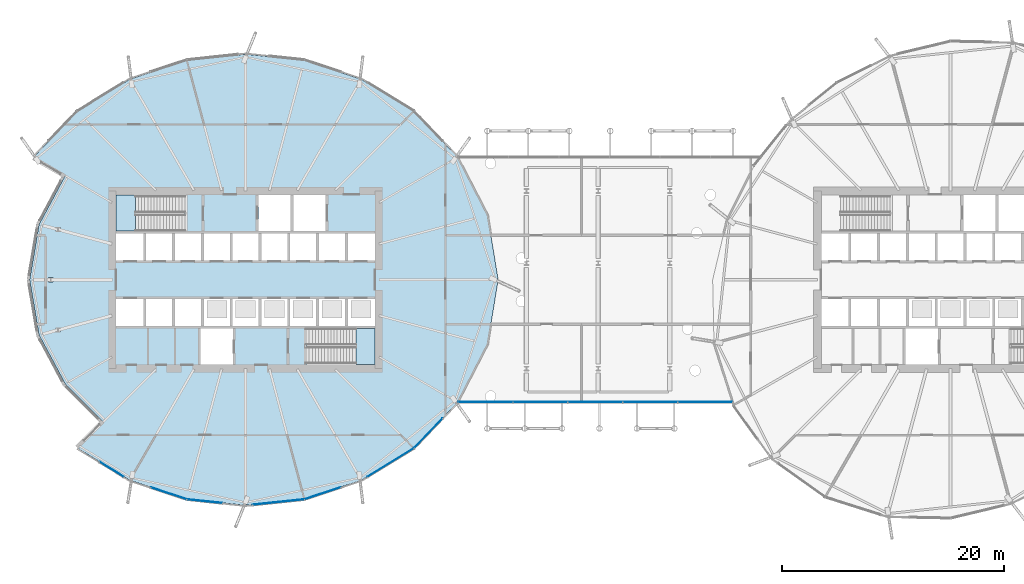
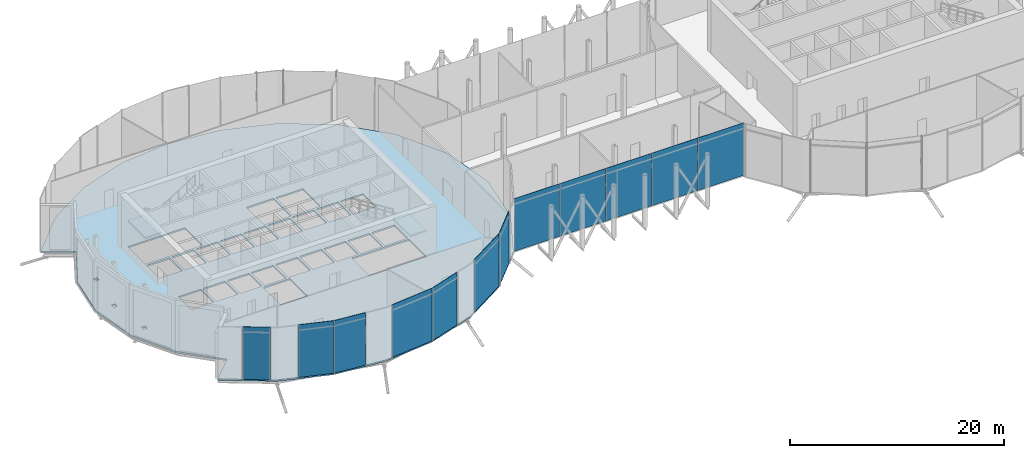
# One storey, part 16 of 38: 12 plates, 3 slabs, 4 elements without a shape of their own.
"""IFC4 building model written with IfcOpenShell, lengths in metres."""

from ifc_helpers import new_model, si_unit, direction, frame, origin, origin_2d, place, context, subcontext, project, spatial, polyline, rectangle, outline, extrude, material, layer, layer_set, type_object, element, aggregate, save


model = new_model("IFC4")

# Units and contexts
model_context = context("Model", 3, precision=1e-05, world=origin(), true_north=direction((0.0, 1.0)))
body_context = subcontext(model_context, "Body", "Model", "MODEL_VIEW")
ifc_project = project(units=[si_unit("LENGTHUNIT", "METRE"), si_unit("AREAUNIT", "SQUARE_METRE"), si_unit("VOLUMEUNIT", "CUBIC_METRE"), si_unit("PLANEANGLEUNIT", "RADIAN"), si_unit("MASSUNIT", "GRAM", prefix="KILO")], contexts=[model_context])

# Site, building, storey
site_placement = place(None, origin())
site = spatial("IfcSite", under=ifc_project, at=site_placement, CompositionType="ELEMENT")
building_placement = place(site_placement, origin())
building = spatial("IfcBuilding", under=site, at=building_placement, Name="Rimbun Link Towers", CompositionType="ELEMENT")
storey_placement = place(building_placement, frame((0.0, 0.0, 133.199951171875)))
storey = spatial("IfcBuildingStorey", under=building, at=storey_placement, Name="L32", CompositionType="ELEMENT", Elevation=133.199951171875)

# Slab
ifc_material_1 = material(Name="Concrete C35/45", Category="concrete")
ifc_layer_1 = layer(ifc_material_1, 0.179931640625)
ifc_layer_set_1 = layer_set([ifc_layer_1], Name="COMPOSITE FLOOR 180")
slab_type_1 = type_object("IfcSlabType", Name="COMPOSITE FLOOR 180", PredefinedType="FLOOR", material=ifc_layer_set_1)
slab_1_placement = place(storey_placement, frame((0.0, 0.0, -0.179931640625)))
element("IfcSlab", 1, at=slab_1_placement, inside=storey, type_object=slab_type_1, Name="Floor slab T1 L32", PredefinedType="FLOOR", context=body_context, shape_type="SweptSolid", body=[
    extrude(outline(polyline([(-46.904296875, 15.154296875), (-42.175537109375, 18.0576171875), (-37.044189453125, 19.758056640625), (-31.75, 20.315673828125), (-26.455810546875, 19.758056640625), (-21.324462890625, 18.0576171875), (-16.595703125, 15.154296875), (-12.643310546875, 11.03125), (-9.956787109375, 5.839599609375), (-8.99658203125, 0.0), (-9.956787109375, -5.839599609375), (-12.643310546875, -11.03125), (-16.595703125, -15.154296875), (-21.324462890625, -18.0576171875), (-26.455810546875, -19.758056640625), (-31.75, -20.315673828125), (-37.044189453125, -19.758056640625), (-42.175537109375, -18.0576171875), (-46.904296875, -15.154296875), (-44.57080078125, -12.82080078125), (-47.9990234375, -9.38134765625), (-50.355712890625, -4.9853515625), (-51.20361328125, 0.0), (-50.355712890625, 4.9853515625), (-47.9990234375, 9.38134765625), (-50.856689453125, 11.03125), (-46.904296875, 15.154296875)]), holes=[polyline([(-32.89990234375, -7.64990234375), (-32.89990234375, -4.39990234375), (-35.800048828125, -4.39990234375), (-35.800048828125, -7.64990234375), (-32.89990234375, -7.64990234375)]), polyline([(-48.83837890625, -4.72216796875), (-48.439453125, -4.72216796875), (-48.439453125, -4.32861328125), (-48.83837890625, -4.32861328125), (-48.83837890625, -4.72216796875)]), polyline([(-43.39990234375, -4.14990234375), (-40.95556640625, -4.14990234375), (-40.95556640625, -1.75), (-43.39990234375, -1.75), (-43.39990234375, -4.14990234375)]), polyline([(-38.361083984375, -4.14990234375), (-38.361083984375, -1.75), (-40.70556640625, -1.75), (-40.70556640625, -4.14990234375), (-38.361083984375, -4.14990234375)]), polyline([(-38.111083984375, -4.14990234375), (-35.7666015625, -4.14990234375), (-35.7666015625, -1.75), (-38.111083984375, -1.75), (-38.111083984375, -4.14990234375)]), polyline([(-35.5166015625, -4.14990234375), (-33.172119140625, -4.14990234375), (-33.172119140625, -1.75), (-35.5166015625, -1.75), (-35.5166015625, -4.14990234375)]), polyline([(-49.0986328125, -0.19677734375), (-49.0986328125, 0.19677734375), (-49.497802734375, 0.19677734375), (-49.497802734375, -0.19677734375), (-49.0986328125, -0.19677734375)]), polyline([(-43.39990234375, 1.75), (-40.95556640625, 1.75), (-40.95556640625, 4.14990234375), (-43.39990234375, 4.14990234375), (-43.39990234375, 1.75)]), polyline([(-40.70556640625, 1.75), (-38.361083984375, 1.75), (-38.361083984375, 4.14990234375), (-40.70556640625, 4.14990234375), (-40.70556640625, 1.75)]), polyline([(-38.111083984375, 1.75), (-35.7666015625, 1.75), (-35.7666015625, 4.14990234375), (-38.111083984375, 4.14990234375), (-38.111083984375, 1.75)]), polyline([(-35.5166015625, 1.75), (-33.172119140625, 1.75), (-33.172119140625, 4.14990234375), (-35.5166015625, 4.14990234375), (-35.5166015625, 1.75)]), polyline([(-48.83837890625, 4.32861328125), (-48.439453125, 4.32861328125), (-48.439453125, 4.72216796875), (-48.83837890625, 4.72216796875), (-48.83837890625, 4.32861328125)]), polyline([(-43.39990234375, 4.39990234375), (-37.260009765625, 4.39990234375), (-37.260009765625, 7.64990234375), (-43.39990234375, 7.64990234375), (-43.39990234375, 4.39990234375)]), polyline([(-20.10009765625, -7.64990234375), (-20.10009765625, -4.39990234375), (-26.239990234375, -4.39990234375), (-26.239990234375, -7.64990234375), (-20.10009765625, -7.64990234375)]), polyline([(-32.922119140625, -4.14990234375), (-30.577880859375, -4.14990234375), (-30.577880859375, -1.75), (-32.922119140625, -1.75), (-32.922119140625, -4.14990234375)]), polyline([(-30.327880859375, -4.14990234375), (-27.9833984375, -4.14990234375), (-27.9833984375, -1.75), (-30.327880859375, -1.75), (-30.327880859375, -4.14990234375)]), polyline([(-25.388916015625, -4.14990234375), (-25.388916015625, -1.75), (-27.7333984375, -1.75), (-27.7333984375, -4.14990234375), (-25.388916015625, -4.14990234375)]), polyline([(-25.138916015625, -4.14990234375), (-22.79443359375, -4.14990234375), (-22.79443359375, -1.75), (-25.138916015625, -1.75), (-25.138916015625, -4.14990234375)]), polyline([(-22.54443359375, -4.14990234375), (-20.10009765625, -4.14990234375), (-20.10009765625, -1.75), (-22.54443359375, -1.75), (-22.54443359375, -4.14990234375)]), polyline([(-30.577880859375, 1.75), (-30.577880859375, 4.14990234375), (-32.922119140625, 4.14990234375), (-32.922119140625, 1.75), (-30.577880859375, 1.75)]), polyline([(-30.327880859375, 1.75), (-27.9833984375, 1.75), (-27.9833984375, 4.14990234375), (-30.327880859375, 4.14990234375), (-30.327880859375, 1.75)]), polyline([(-27.7333984375, 1.75), (-25.388916015625, 1.75), (-25.388916015625, 4.14990234375), (-27.7333984375, 4.14990234375), (-27.7333984375, 1.75)]), polyline([(-25.138916015625, 1.75), (-22.79443359375, 1.75), (-22.79443359375, 4.14990234375), (-25.138916015625, 4.14990234375), (-25.138916015625, 1.75)]), polyline([(-22.54443359375, 1.75), (-20.10009765625, 1.75), (-20.10009765625, 4.14990234375), (-22.54443359375, 4.14990234375), (-22.54443359375, 1.75)]), polyline([(-30.60009765625, 4.39990234375), (-27.699951171875, 4.39990234375), (-27.699951171875, 7.64990234375), (-30.60009765625, 7.64990234375), (-30.60009765625, 4.39990234375)]), polyline([(-27.449951171875, 4.39990234375), (-24.550048828125, 4.39990234375), (-24.550048828125, 7.64990234375), (-27.449951171875, 7.64990234375), (-27.449951171875, 4.39990234375)])]), origin(), (0.0, 0.0, 1.0), 0.179931640625),
])

# Curtain wall, plates
ifc_material_2 = material(Name="Aluminium 6063-T6 and low-iron glass", Category="aluminium")
curtain_wall_type = type_object("IfcCurtainWallType", Name="CW5 full height lobby wall", PredefinedType="NOTDEFINED", material=ifc_material_2)
curtain_wall_1_placement = place(storey_placement, origin())
curtain_wall_1 = element("IfcCurtainWall", 2, at=curtain_wall_1_placement, inside=storey, type_object=curtain_wall_type, Name="CW5 L32 LB", PredefinedType="NOTDEFINED")
ifc_material_3 = material(Name="Aluminium cladding, insulated panel", Category="aluminium")
ifc_layer_2 = layer(ifc_material_3, 0.031982421875)
ifc_layer_set_2 = layer_set([ifc_layer_2], Name="CW5 insulated panel Aluminium cladding 32")
plate_type_1 = type_object("IfcPlateType", Name="CW5 insulated panel Aluminium cladding 32", PredefinedType="CURTAIN_PANEL", material=ifc_layer_set_2)
plate_1_placement = place(storey_placement, frame((-10.152099609375, -11.01611328125, 0.0), z_axis=(0.0, 0.0, 1.0), x_axis=(-1.0, 0.0, 0.0)))
plate_1 = element("IfcPlate", 3, at=plate_1_placement, type_object=plate_type_1, Name="CW5 insulated panel", PredefinedType="CURTAIN_PANEL", context=body_context, shape_type="SweptSolid", body=[
    extrude(rectangle(XDim=4.90966796875, YDim=0.031982421875, at=origin_2d()), origin(), (0.0, 0.0, 1.0), 6.0),
])
plate_2_placement = place(storey_placement, frame((9.646484375, -11.01611328125, 0.0), z_axis=(0.0, 0.0, 1.0), x_axis=(-1.0, 0.0, 0.0)))
plate_2 = element("IfcPlate", 4, at=plate_2_placement, type_object=plate_type_1, Name="CW5 insulated panel", PredefinedType="CURTAIN_PANEL", context=body_context, shape_type="SweptSolid", body=[
    extrude(rectangle(XDim=4.90966796875, YDim=0.031982421875, at=origin_2d()), origin(), (0.0, 0.0, 1.0), 6.0),
])

curtain_wall_2_placement = place(storey_placement, origin())
curtain_wall_2 = element("IfcCurtainWall", 5, at=curtain_wall_2_placement, inside=storey, type_object=curtain_wall_type, Name="CW5 L32 T1", PredefinedType="NOTDEFINED")
ifc_material_4 = material(Name="Low-iron glass, laminated low-e unit", Category="glass")
ifc_layer_3 = layer(ifc_material_4, 0.031982421875)
ifc_layer_set_3 = layer_set([ifc_layer_3], Name="CW5 panel Low-iron glass 32")
plate_type_2 = type_object("IfcPlateType", Name="CW5 panel Low-iron glass 32", PredefinedType="CURTAIN_PANEL", material=ifc_layer_set_3)
plate_3_placement = place(storey_placement, frame((-43.802490234375, -17.077392578125, 0.0), z_axis=(0.0, 0.0, 1.0), x_axis=(-0.852194346217, 0.523225378089, 0.0)))
plate_3 = element("IfcPlate", 6, at=plate_3_placement, type_object=plate_type_2, Name="CW5 panel", PredefinedType="CURTAIN_PANEL", context=body_context, shape_type="SweptSolid", body=[
    extrude(rectangle(XDim=2.558837890625, YDim=0.031982421875, at=origin_2d()), origin(), (0.0, 0.0, 1.0), 6.0),
])
plate_4_placement = place(storey_placement, frame((-38.66552734375, -19.237548828125, 0.0), z_axis=(0.0, 0.0, 1.0), x_axis=(-0.949234953763, 0.314567961741, 0.0)))
plate_4 = element("IfcPlate", 7, at=plate_4_placement, type_object=plate_type_2, Name="CW5 panel", PredefinedType="CURTAIN_PANEL", context=body_context, shape_type="SweptSolid", body=[
    extrude(rectangle(XDim=3.36572265625, YDim=0.031982421875, at=origin_2d()), origin(), (0.0, 0.0, 1.0), 6.0),
])
plate_5_placement = place(storey_placement, frame((-35.44287109375, -19.942626953125, 0.0), z_axis=(0.0, 0.0, 1.0), x_axis=(-0.994499069305, 0.104745411125, 0.0)))
plate_5 = element("IfcPlate", 8, at=plate_5_placement, type_object=plate_type_2, Name="CW5 panel", PredefinedType="CURTAIN_PANEL", context=body_context, shape_type="SweptSolid", body=[
    extrude(rectangle(XDim=3.183349609375, YDim=0.031982421875, at=origin_2d()), origin(), (0.0, 0.0, 1.0), 6.0),
])
plate_6_placement = place(storey_placement, frame((-28.778076171875, -20.0185546875, 0.0), z_axis=(0.0, 0.0, 1.0), x_axis=(-0.994499069305, -0.104745411125, 0.0)))
plate_6 = element("IfcPlate", 9, at=plate_6_placement, type_object=plate_type_2, Name="CW5 panel", PredefinedType="CURTAIN_PANEL", context=body_context, shape_type="SweptSolid", body=[
    extrude(rectangle(XDim=4.63330078125, YDim=0.031982421875, at=origin_2d()), origin(), (0.0, 0.0, 1.0), 6.0),
])
plate_7_placement = place(storey_placement, frame((-24.810791015625, -19.229736328125, 0.0), z_axis=(0.0, 0.0, 1.0), x_axis=(-0.949234953763, -0.314567961741, 0.0)))
plate_7 = element("IfcPlate", 10, at=plate_7_placement, type_object=plate_type_2, Name="CW5 panel", PredefinedType="CURTAIN_PANEL", context=body_context, shape_type="SweptSolid", body=[
    extrude(rectangle(XDim=3.415771484375, YDim=0.031982421875, at=origin_2d()), origin(), (0.0, 0.0, 1.0), 6.0),
])
plate_8_placement = place(storey_placement, frame((-18.696044921875, -16.46240234375, 0.0), z_axis=(0.0, 0.0, 1.0), x_axis=(-0.852194346217, -0.523225378089, 0.0)))
plate_8 = element("IfcPlate", 11, at=plate_8_placement, type_object=plate_type_2, Name="CW5 panel", PredefinedType="CURTAIN_PANEL", context=body_context, shape_type="SweptSolid", body=[
    extrude(rectangle(XDim=4.908935546875, YDim=0.031982421875, at=origin_2d()), origin(), (0.0, 0.0, 1.0), 6.0),
])
plate_9_placement = place(storey_placement, frame((-15.300048828125, -13.82568359375, 0.0), z_axis=(0.0, 0.0, 1.0), x_axis=(-0.692041109252, -0.721858090698, 0.0)))
plate_9 = element("IfcPlate", 12, at=plate_9_placement, type_object=plate_type_2, Name="CW5 panel", PredefinedType="CURTAIN_PANEL", context=body_context, shape_type="SweptSolid", body=[
    extrude(rectangle(XDim=3.671630859375, YDim=0.031982421875, at=origin_2d()), origin(), (0.0, 0.0, 1.0), 6.0),
])
aggregate(curtain_wall_2, [plate_3, plate_4, plate_5, plate_6, plate_7, plate_8, plate_9])

# Plate
plate_10_placement = place(storey_placement, frame((-5.202392578125, -11.01611328125, 0.0), z_axis=(0.0, 0.0, 1.0), x_axis=(-1.0, 0.0, 0.0)))
plate_10 = element("IfcPlate", 13, at=plate_10_placement, type_object=plate_type_2, Name="CW5 panel", PredefinedType="CURTAIN_PANEL", context=body_context, shape_type="SweptSolid", body=[
    extrude(rectangle(XDim=4.90966796875, YDim=0.031982421875, at=origin_2d()), origin(), (0.0, 0.0, 1.0), 6.0),
])

plate_11_placement = place(storey_placement, frame((-0.2529296875, -11.01611328125, 0.0), z_axis=(0.0, 0.0, 1.0), x_axis=(-1.0, 0.0, 0.0)))
plate_11 = element("IfcPlate", 14, at=plate_11_placement, type_object=plate_type_2, Name="CW5 panel", PredefinedType="CURTAIN_PANEL", context=body_context, shape_type="SweptSolid", body=[
    extrude(rectangle(XDim=4.90966796875, YDim=0.031982421875, at=origin_2d()), origin(), (0.0, 0.0, 1.0), 6.0),
])

plate_12_placement = place(storey_placement, frame((4.69677734375, -11.01611328125, 0.0), z_axis=(0.0, 0.0, 1.0), x_axis=(-1.0, 0.0, 0.0)))
plate_12 = element("IfcPlate", 15, at=plate_12_placement, type_object=plate_type_2, Name="CW5 panel", PredefinedType="CURTAIN_PANEL", context=body_context, shape_type="SweptSolid", body=[
    extrude(rectangle(XDim=4.90966796875, YDim=0.031982421875, at=origin_2d()), origin(), (0.0, 0.0, 1.0), 6.0),
])

aggregate(curtain_wall_1, [plate_1, plate_10, plate_11, plate_12, plate_2])

# Stair, slab
ifc_material_5 = material(Name="Concrete C40/50", Category="concrete")
stair_type = type_object("IfcStairType", Name="Exit stair 6000 rise", PredefinedType="HALF_TURN_STAIR", material=ifc_material_5)
stair_1_placement = place(storey_placement, origin())
stair_1 = element("IfcStair", 16, at=stair_1_placement, inside=storey, type_object=stair_type, Name="L32 EXIT STAIR A", PredefinedType="HALF_TURN_STAIR")
ifc_material_6 = material(Name="Concrete C40/50", Category="concrete")
ifc_layer_4 = layer(ifc_material_6, 0.199951171875)
ifc_layer_set_4 = layer_set([ifc_layer_4], Name="Stair landing")
slab_type_2 = type_object("IfcSlabType", Name="Stair landing", PredefinedType="LANDING", material=ifc_layer_set_4)
slab_2_placement = place(storey_placement, frame((0.0, 0.0, 2.800048828125)))
slab_2 = element("IfcSlab", 17, at=slab_2_placement, type_object=slab_type_2, Name="ST1 landing 1", PredefinedType="LANDING", context=body_context, shape_type="SweptSolid", body=[
    extrude(outline(polyline([(-41.679931640625, 7.64990234375), (-43.39990234375, 7.64990234375), (-43.39990234375, 4.39990234375), (-41.679931640625, 4.39990234375), (-41.679931640625, 7.64990234375)])), origin(), (0.0, 0.0, 1.0), 0.199951171875),
])
aggregate(stair_1, [slab_2])

stair_2_placement = place(storey_placement, origin())
stair_2 = element("IfcStair", 18, at=stair_2_placement, inside=storey, type_object=stair_type, Name="L32 EXIT STAIR B", PredefinedType="HALF_TURN_STAIR")
slab_3_placement = place(storey_placement, frame((0.0, 0.0, 2.800048828125)))
slab_3 = element("IfcSlab", 19, at=slab_3_placement, type_object=slab_type_2, Name="ST2 landing 1", PredefinedType="LANDING", context=body_context, shape_type="SweptSolid", body=[
    extrude(outline(polyline([(-21.820068359375, -7.64990234375), (-20.10009765625, -7.64990234375), (-20.10009765625, -4.39990234375), (-21.820068359375, -4.39990234375), (-21.820068359375, -7.64990234375)])), origin(), (0.0, 0.0, 1.0), 0.199951171875),
])
aggregate(stair_2, [slab_3])

save(model, "model.ifc")
